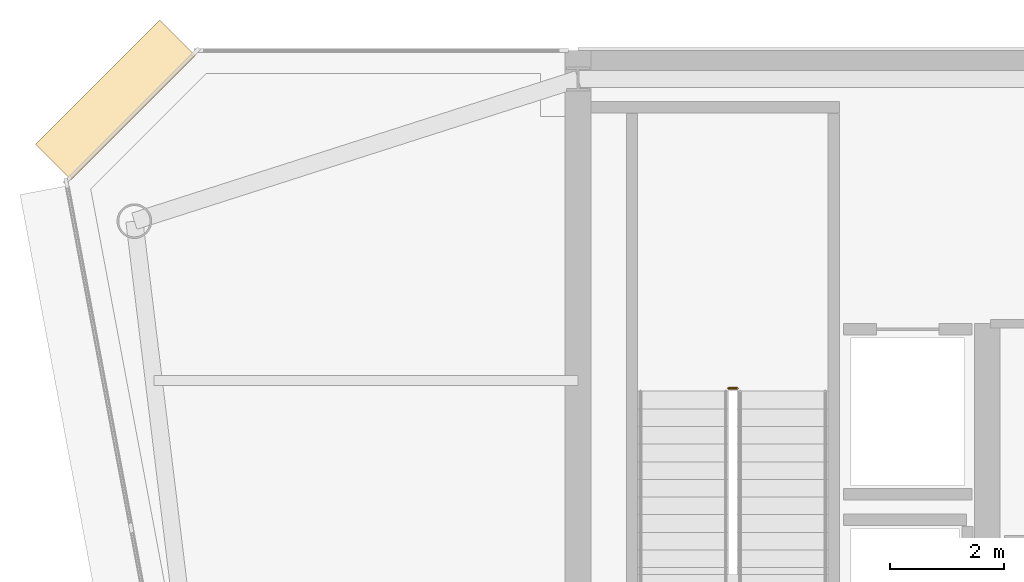
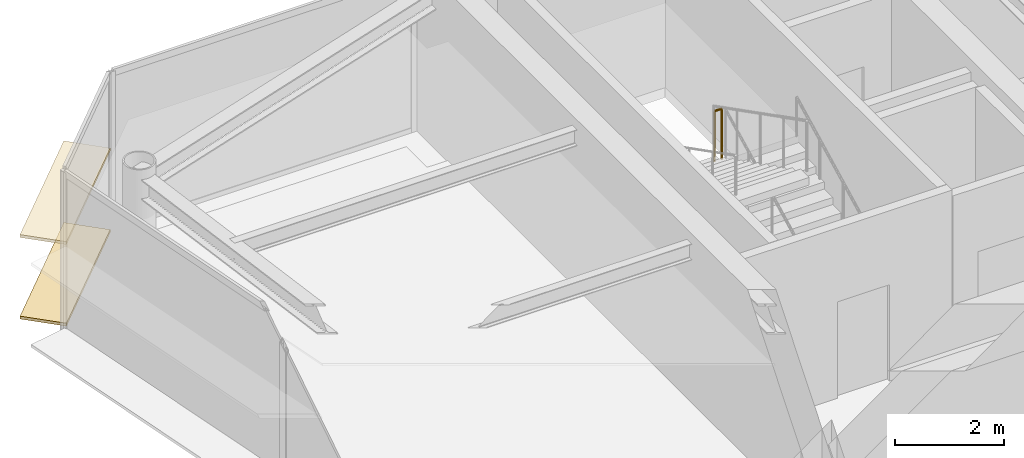
# One storey, part 18 of 20: 2 coverings, 1 railing.
"""IFC4 building model written with IfcOpenShell, lengths in metres."""

from ifc_helpers import new_model, si_unit, direction, frame, origin, origin_2d, place, context, subcontext, project, spatial, rectangle, circle, extrude, source, transform, mapped, material, layer, layer_set, type_object, element, save


model = new_model("IFC4")

# Units and contexts
model_context = context("Model", 3, precision=1e-05, world=origin(), true_north=direction((0.0, 1.0)))
body_context = subcontext(model_context, "Body", "Model", "MODEL_VIEW")
ifc_project = project(units=[si_unit("LENGTHUNIT", "METRE"), si_unit("AREAUNIT", "SQUARE_METRE"), si_unit("VOLUMEUNIT", "CUBIC_METRE"), si_unit("PLANEANGLEUNIT", "RADIAN"), si_unit("MASSUNIT", "GRAM", prefix="KILO")], contexts=[model_context])

# Site, building, storey
site_placement = place(None, origin())
site = spatial("IfcSite", under=ifc_project, at=site_placement, CompositionType="ELEMENT")
building_placement = place(site_placement, origin())
building = spatial("IfcBuilding", under=site, at=building_placement, Name="Vaeldorn Concourse Tower", CompositionType="ELEMENT")
storey_placement = place(building_placement, frame((0.0, 0.0, 291.60009765625)))
storey = spatial("IfcBuildingStorey", under=building, at=storey_placement, Name="L75", CompositionType="ELEMENT", Elevation=291.60009765625)

# Railing
ifc_material = material(Name="Anodised Bronze Aluminium", Category="aluminium")
railing_type = type_object("IfcRailingType", Name="RL-STAIR-GUARD", PredefinedType="GUARDRAIL", material=ifc_material)
railing_placement = place(storey_placement, frame((16.800048828125, 45.06005859375, 1.89990234375)))
element("IfcRailing", 1, at=railing_placement, inside=storey, type_object=railing_type, Name="L75 ST-1 stair guard 2", PredefinedType="GUARDRAIL", context=body_context, shape_type="SweptSolid", body=[
    extrude(circle(Radius=0.02392578125, at=origin_2d()), frame((0.0, 0.0, 1.1259765625), z_axis=(-1.0, 0.0, 0.0), x_axis=(0.0, -1.0, 0.0)), (0.0, 0.0, 1.0), 0.150146484375),
    extrude(circle(Radius=0.02099609375, at=origin_2d()), origin(), (0.0, 0.0, 1.0), 1.101806640625),
    extrude(circle(Radius=0.02099609375, at=origin_2d()), frame((-0.150146484375, 0.0, 0.0)), (0.0, 0.0, 1.0), 1.101806640625),
])

# Coverings
ifc_layer = layer(ifc_material, 0.06494140625)
ifc_layer_set = layer_set([ifc_layer], Name="Anodised Bronze Aluminium")
covering_type = type_object("IfcCoveringType", Name="SD-BRONZE-SUNSHADE", PredefinedType="USERDEFINED", material=ifc_layer_set)
shared_shape = source(origin(), body_context, "Body", "SweptSolid", [
    extrude(rectangle(XDim=3.0927734375, YDim=0.8798828125, at=origin_2d()), origin(), (0.0, 0.0, 1.0), 0.06494140625),
])
for number, where, z_axis, x_axis, name in (
    (2, (5.8671875, 50.1328125, 0.04736328125), (0.0, 0.0, 1.0), (-0.707106781187, -0.707106781187, 0.0), "Horizontal Bronze Sunshade L75-E10.1.1"),
    (3, (5.8671875, 50.1328125, 1.867431640625), (0.0, 0.0, 1.0), (-0.707106781187, -0.707106781187, 0.0), "Horizontal Bronze Sunshade L75-E10.1.2"),
):
    element("IfcCovering", number, at=place(storey_placement, frame(where, z_axis=z_axis, x_axis=x_axis)), inside=storey, type_object=covering_type, Name=name, ObjectType="SUNSHADE", PredefinedType="USERDEFINED", context=body_context, shape_type="MappedRepresentation", body=[
        mapped(shared_shape, transform((0.0, 0.0, 0.0), scale=1.0)),
    ])

save(model, "model.ifc")
